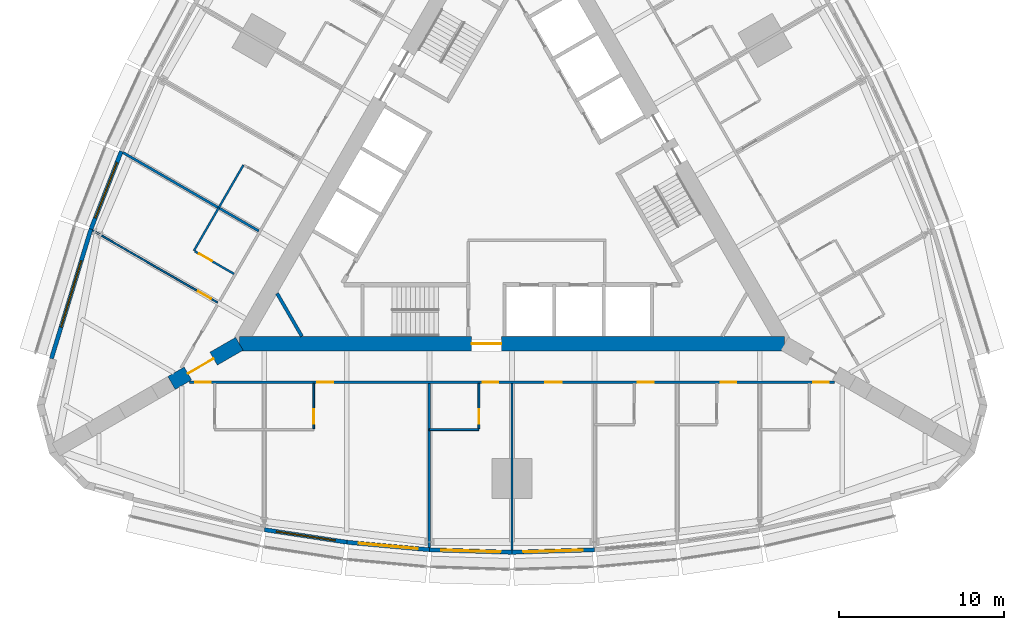
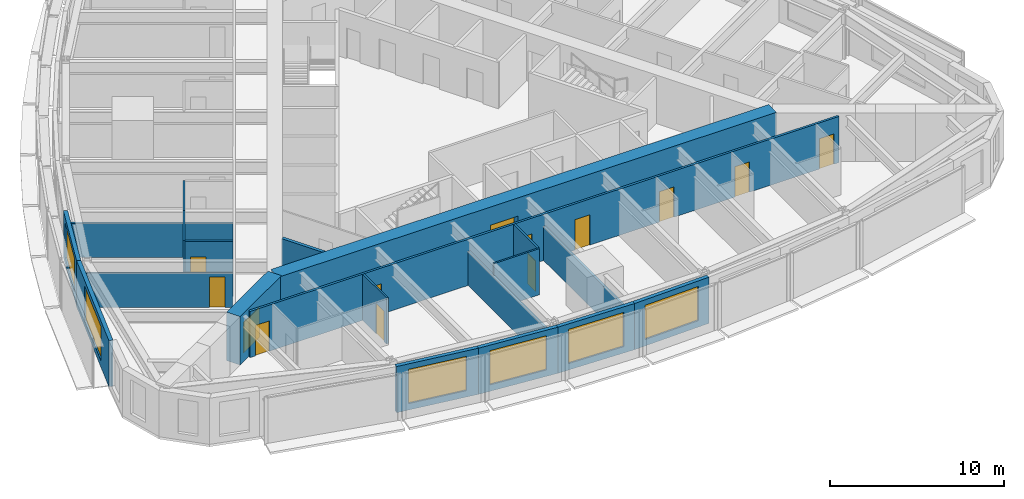
# One storey, part 8 of 14: 20 walls, 13 doors, 6 windows, 19 openings.
"""IFC4 building model written with IfcOpenShell, lengths in metres."""

from ifc_helpers import new_model, si_unit, direction, frame, frame_2d, origin, place, context, subcontext, project, spatial, rectangle, extrude, material, layer, layer_set, type_object, element, fill, save


model = new_model("IFC4")

# Units and contexts
model_context = context("Model", 3, precision=1e-05, world=origin(), true_north=direction((0.0, 1.0)))
body_context = subcontext(model_context, "Body", "Model", "MODEL_VIEW")
ifc_project = project(units=[si_unit("LENGTHUNIT", "METRE"), si_unit("AREAUNIT", "SQUARE_METRE"), si_unit("VOLUMEUNIT", "CUBIC_METRE"), si_unit("PLANEANGLEUNIT", "RADIAN"), si_unit("MASSUNIT", "GRAM", prefix="KILO")], contexts=[model_context])

# Site, building, storey
site_placement = place(None, origin())
site = spatial("IfcSite", under=ifc_project, at=site_placement, CompositionType="ELEMENT")
building_placement = place(site_placement, origin())
building = spatial("IfcBuilding", under=site, at=building_placement, Name="Trikona Tower", CompositionType="ELEMENT")
storey_placement = place(building_placement, frame((0.0, 0.0, 86.300048828125)))
storey = spatial("IfcBuildingStorey", under=building, at=storey_placement, Name="L22", CompositionType="ELEMENT", Elevation=86.300048828125)

# Wall, opening, door
ifc_material_1 = material(Name="Metal stud and cement board", Category="gypsum")
ifc_layer_1 = layer(ifc_material_1, 0.1201171875)
ifc_layer_set_1 = layer_set([ifc_layer_1], Name="Bathroom wall 120")
wall_type_1 = type_object("IfcWallType", Name="Bathroom wall 120", PredefinedType="PLUMBINGWALL", material=ifc_layer_set_1)
wall_1_placement = place(storey_placement, frame((-12.0, -11.92626953125, 0.0), z_axis=(0.0, 0.0, 1.0), x_axis=(0.0, -1.0, 0.0)))
wall_1 = element("IfcWall", 1, at=wall_1_placement, inside=storey, type_object=wall_type_1, Name="Bathroom wall 2202", PredefinedType="PLUMBINGWALL", context=body_context, shape_type="SweptSolid", body=[
    extrude(rectangle(XDim=2.739990234375, YDim=0.1201171875, at=frame_2d((1.3701171875, 0.0))), origin(), (0.0, 0.0, 1.0), 3.23486328125),
])
opening_1_placement = place(wall_1_placement, frame((1.550048828125, 0.0, 0.0)))
opening_1 = element("IfcOpeningElement", 2, at=opening_1_placement, cuts=wall_1, Name="Opening D2", PredefinedType="OPENING", context=body_context, shape_type="SweptSolid", body=[
    extrude(rectangle(XDim=0.89990234375, YDim=2.1298828125, at=frame_2d((0.449951171875, 1.06494140625))), frame((0.0, 0.070068359375, 0.0), z_axis=(0.0, -1.0, 0.0), x_axis=(1.0, 0.0, 0.0)), (0.0, 0.0, 1.0), 0.14013671875),
])
ifc_material_2 = material(Name="Steel door frame with solid-core timber leaf", Category="steel")
door_type_1 = type_object("IfcDoorType", Name="Bathroom door 900x2130", OperationType="SLIDING_TO_LEFT", PredefinedType="DOOR", material=ifc_material_2)
door_1_placement = place(opening_1_placement, origin())
door_1 = element("IfcDoor", 3, at=door_1_placement, inside=storey, type_object=door_type_1, Name="Bathroom door 2202", OperationType="SLIDING_TO_LEFT", OverallHeight=2.1298828125, OverallWidth=0.89990234375, PredefinedType="DOOR", context=body_context, shape_type="SweptSolid", body=[
    extrude(rectangle(XDim=0.89990234375, YDim=2.1298828125, at=frame_2d((0.449951171875, 1.06494140625))), frame((0.0, 0.02490234375, 0.0), z_axis=(0.0, -1.0, 0.0), x_axis=(1.0, 0.0, 0.0)), (0.0, 0.0, 1.0), 0.050048828125),
])
fill(opening_1, door_1)

# Wall
wall_2_placement = place(storey_placement, frame((-5.0, -14.726318359375, 0.0), z_axis=(0.0, 0.0, 1.0), x_axis=(1.0, 0.0, 0.0)))
element("IfcWall", 4, at=wall_2_placement, inside=storey, type_object=wall_type_1, Name="Bathroom wall 2203", PredefinedType="PLUMBINGWALL", context=body_context, shape_type="SweptSolid", body=[
    extrude(rectangle(XDim=3.0, YDim=0.1201171875, at=frame_2d((1.5, 0.0))), origin(), (0.0, 0.0, 1.0), 3.23486328125),
])

# Wall, opening, door
wall_3_placement = place(storey_placement, frame((-2.0, -11.92626953125, 0.0), z_axis=(0.0, 0.0, 1.0), x_axis=(0.0, -1.0, 0.0)))
wall_3 = element("IfcWall", 5, at=wall_3_placement, inside=storey, type_object=wall_type_1, Name="Bathroom wall 2203", PredefinedType="PLUMBINGWALL", context=body_context, shape_type="SweptSolid", body=[
    extrude(rectangle(XDim=2.739990234375, YDim=0.1201171875, at=frame_2d((1.3701171875, 0.0))), origin(), (0.0, 0.0, 1.0), 3.23486328125),
])
opening_2_placement = place(wall_3_placement, frame((1.550048828125, 0.0, 0.0)))
opening_2 = element("IfcOpeningElement", 6, at=opening_2_placement, cuts=wall_3, Name="Opening D2", PredefinedType="OPENING", context=body_context, shape_type="SweptSolid", body=[
    extrude(rectangle(XDim=0.89990234375, YDim=2.1298828125, at=frame_2d((0.449951171875, 1.06494140625))), frame((0.0, 0.070068359375, 0.0), z_axis=(0.0, -1.0, 0.0), x_axis=(1.0, 0.0, 0.0)), (0.0, 0.0, 1.0), 0.14013671875),
])
door_2_placement = place(opening_2_placement, origin())
door_2 = element("IfcDoor", 7, at=door_2_placement, inside=storey, type_object=door_type_1, Name="Bathroom door 2203", OperationType="SLIDING_TO_LEFT", OverallHeight=2.1298828125, OverallWidth=0.89990234375, PredefinedType="DOOR", context=body_context, shape_type="SweptSolid", body=[
    extrude(rectangle(XDim=0.89990234375, YDim=2.1298828125, at=frame_2d((0.449951171875, 1.06494140625))), frame((0.0, 0.02490234375, 0.0), z_axis=(0.0, -1.0, 0.0), x_axis=(1.0, 0.0, 0.0)), (0.0, 0.0, 1.0), 0.050048828125),
])
fill(opening_2, door_2)

# Walls
for number, where, z_axis, x_axis, name in (
    (8, (-16.25341796875, 1.301025390625, 0.0), (0.0, 0.0, 1.0), (-0.499990139034, -0.866031096941, 0.0), "Bathroom wall 2215.1"),
    (9, (-17.75341796875, -1.297119140625, 0.0), (0.0, 0.0, 1.0), (-0.499990139034, -0.866031096941, 0.0), "Bathroom wall 2216.1"),
):
    element("IfcWall", number, at=place(storey_placement, frame(where, z_axis=z_axis, x_axis=x_axis)), inside=storey, type_object=wall_type_1, Name=name, PredefinedType="PLUMBINGWALL", context=body_context, shape_type="SweptSolid", body=[
        extrude(rectangle(XDim=3.0, YDim=0.1201171875, at=frame_2d((1.5, 0.0))), origin(), (0.0, 0.0, 1.0), 3.23486328125),
    ])

# Wall, opening, door
wall_4_placement = place(storey_placement, frame((-16.82861328125, -5.295166015625, 0.0), z_axis=(0.0, 0.0, 1.0), x_axis=(-0.866035715982, 0.499982138324, 0.0)))
wall_4 = element("IfcWall", 10, at=wall_4_placement, inside=storey, type_object=wall_type_1, Name="Bathroom wall 2216.1", PredefinedType="PLUMBINGWALL", context=body_context, shape_type="SweptSolid", body=[
    extrude(rectangle(XDim=2.73974609375, YDim=0.1201171875, at=frame_2d((1.369873046875, 0.0))), origin(), (0.0, 0.0, 1.0), 3.23486328125),
])
opening_3_placement = place(wall_4_placement, frame((1.550048828125, 0.0, 0.0)))
opening_3 = element("IfcOpeningElement", 11, at=opening_3_placement, cuts=wall_4, Name="Opening D2", PredefinedType="OPENING", context=body_context, shape_type="SweptSolid", body=[
    extrude(rectangle(XDim=0.89990234375, YDim=2.1298828125, at=frame_2d((0.449951171875, 1.06494140625))), frame((0.0, 0.070068359375, 0.0), z_axis=(0.0, -1.0, 0.0), x_axis=(1.0, 0.0, 0.0)), (0.0, 0.0, 1.0), 0.14013671875),
])
door_3_placement = place(opening_3_placement, origin())
door_3 = element("IfcDoor", 12, at=door_3_placement, inside=storey, type_object=door_type_1, Name="Bathroom door 2216.1", OperationType="SLIDING_TO_LEFT", OverallHeight=2.1298828125, OverallWidth=0.89990234375, PredefinedType="DOOR", context=body_context, shape_type="SweptSolid", body=[
    extrude(rectangle(XDim=0.89990234375, YDim=2.1298828125, at=frame_2d((0.449951171875, 1.06494140625))), frame((0.0, 0.02490234375, 0.0), z_axis=(0.0, -1.0, 0.0), x_axis=(1.0, 0.0, 0.0)), (0.0, 0.0, 1.0), 0.050048828125),
])
fill(opening_3, door_3)

ifc_material_3 = material(Name="Concrete f'c 10000 psi", Category="concrete")
ifc_layer_2 = layer(ifc_material_3, 0.89990234375)
ifc_layer_set_2 = layer_set([ifc_layer_2], Name="Buttress wall 900")
wall_type_2 = type_object("IfcWallType", Name="Buttress wall 900", PredefinedType="SHEAR", material=ifc_layer_set_2)
wall_5_placement = place(storey_placement, frame((-16.5, -9.5263671875, 0.0), z_axis=(0.0, 0.0, 1.0), x_axis=(-0.866031398331, -0.499989616998, 0.0)))
wall_5 = element("IfcWall", 13, at=wall_5_placement, inside=storey, type_object=wall_type_2, Name="Buttress wall 3", PredefinedType="SHEAR", context=body_context, shape_type="SweptSolid", body=[
    extrude(rectangle(XDim=4.74609375, YDim=0.89990234375, at=frame_2d((2.373046875, 0.0))), origin(), (0.0, 0.0, 1.0), 3.39990234375),
])
opening_4_placement = place(wall_5_placement, frame((1.800048828125, 0.0, 0.0)))
opening_4 = element("IfcOpeningElement", 14, at=opening_4_placement, cuts=wall_5, Name="Opening D10", PredefinedType="OPENING", context=body_context, shape_type="SweptSolid", body=[
    extrude(rectangle(XDim=1.800048828125, YDim=2.1298828125, at=frame_2d((0.89990234375, 1.06494140625))), frame((0.0, 0.4599609375, 0.0), z_axis=(0.0, -1.0, 0.0), x_axis=(1.0, 0.0, 0.0)), (0.0, 0.0, 1.0), 0.919921875),
])
ifc_material_4 = material(Name="Hollow metal door and frame", Category="steel")
door_type_2 = type_object("IfcDoorType", Name="Cross-corridor door pair 1800x2130", OperationType="DOUBLE_DOOR_DOUBLE_SWING", PredefinedType="DOOR", material=ifc_material_4)
door_4_placement = place(opening_4_placement, origin())
door_4 = element("IfcDoor", 15, at=door_4_placement, inside=storey, type_object=door_type_2, Name="Cross-corridor door 3", OperationType="DOUBLE_DOOR_DOUBLE_SWING", OverallHeight=2.1298828125, OverallWidth=1.800048828125, PredefinedType="DOOR", context=body_context, shape_type="SweptSolid", body=[
    extrude(rectangle(XDim=1.800048828125, YDim=2.1298828125, at=frame_2d((0.89990234375, 1.06494140625))), frame((0.0, 0.02490234375, 0.0), z_axis=(0.0, -1.0, 0.0), x_axis=(1.0, 0.0, 0.0)), (0.0, 0.0, 1.0), 0.050048828125),
])
fill(opening_4, door_4)

ifc_material_5 = material(Name="Concrete f'c 10000 psi", Category="concrete")
ifc_layer_3 = layer(ifc_material_5, 0.89990234375)
ifc_layer_set_3 = layer_set([ifc_layer_3], Name="Core wall 900")
wall_type_3 = type_object("IfcWallType", Name="Core wall 900", PredefinedType="SHEAR", material=ifc_layer_set_3)
wall_6_placement = place(storey_placement, frame((-16.5, -9.5263671875, 0.0), z_axis=(0.0, 0.0, 1.0), x_axis=(1.0, 0.0, 0.0)))
wall_6 = element("IfcWall", 16, at=wall_6_placement, inside=storey, type_object=wall_type_3, Name="Core wall A", PredefinedType="SHEAR", context=body_context, shape_type="SweptSolid", body=[
    extrude(rectangle(XDim=33.0, YDim=0.89990234375, at=frame_2d((16.5, 0.0))), origin(), (0.0, 0.0, 1.0), 3.39990234375),
])
opening_5_placement = place(wall_6_placement, frame((14.050048828125, 0.0, 0.0)))
opening_5 = element("IfcOpeningElement", 17, at=opening_5_placement, cuts=wall_6, Name="Opening D6", PredefinedType="OPENING", context=body_context, shape_type="SweptSolid", body=[
    extrude(rectangle(XDim=1.800048828125, YDim=2.1298828125, at=frame_2d((0.89990234375, 1.06494140625))), frame((0.0, 0.4599609375, 0.0), z_axis=(0.0, -1.0, 0.0), x_axis=(1.0, 0.0, 0.0)), (0.0, 0.0, 1.0), 0.919921875),
])
ifc_material_6 = material(Name="Hollow metal door and frame", Category="steel")
door_type_3 = type_object("IfcDoorType", Name="Lobby door pair 1800x2130", OperationType="DOUBLE_DOOR_SINGLE_SWING", PredefinedType="DOOR", material=ifc_material_6)
door_5_placement = place(opening_5_placement, origin())
door_5 = element("IfcDoor", 18, at=door_5_placement, inside=storey, type_object=door_type_3, Name="Fire service lift lobby door", OperationType="DOUBLE_DOOR_SINGLE_SWING", OverallHeight=2.1298828125, OverallWidth=1.800048828125, PredefinedType="DOOR", context=body_context, shape_type="SweptSolid", body=[
    extrude(rectangle(XDim=1.800048828125, YDim=2.1298828125, at=frame_2d((0.89990234375, 1.06494140625))), frame((0.0, 0.02490234375, 0.0), z_axis=(0.0, -1.0, 0.0), x_axis=(1.0, 0.0, 0.0)), (0.0, 0.0, 1.0), 0.050048828125),
])
fill(opening_5, door_5)

# Wall, openings, doors
ifc_material_7 = material(Name="Metal stud and gypsum board, 1-hour", Category="gypsum")
ifc_layer_4 = layer(ifc_material_7, 0.14990234375)
ifc_layer_set_4 = layer_set([ifc_layer_4], Name="Corridor wall 150")
wall_type_4 = type_object("IfcWallType", Name="Corridor wall 150", PredefinedType="PARTITIONING", material=ifc_layer_set_4)
wall_7_placement = place(storey_placement, frame((-19.527099609375, -11.851318359375, 0.0), z_axis=(0.0, 0.0, 1.0), x_axis=(1.0, 0.0, 0.0)))
wall_7 = element("IfcWall", 19, at=wall_7_placement, inside=storey, type_object=wall_type_4, Name="Corridor wall L22-1", PredefinedType="PARTITIONING", context=body_context, shape_type="SweptSolid", body=[
    extrude(rectangle(XDim=39.05419921875, YDim=0.14990234375, at=frame_2d((19.527099609375, 0.0))), origin(), (0.0, 0.0, 1.0), 3.23486328125),
])
opening_6_placement = place(wall_7_placement, frame((0.35205078125, 0.0, 0.0)))
opening_6 = element("IfcOpeningElement", 20, at=opening_6_placement, cuts=wall_7, Name="Opening D1", PredefinedType="OPENING", context=body_context, shape_type="SweptSolid", body=[
    extrude(rectangle(XDim=0.949951171875, YDim=2.1298828125, at=frame_2d((0.47509765625, 1.06494140625))), frame((0.0, 0.0849609375, 0.0), z_axis=(0.0, -1.0, 0.0), x_axis=(1.0, 0.0, 0.0)), (0.0, 0.0, 1.0), 0.169921875),
])
opening_7_placement = place(wall_7_placement, frame((7.751953125, 0.0, 0.0)))
opening_7 = element("IfcOpeningElement", 21, at=opening_7_placement, cuts=wall_7, Name="Opening D1", PredefinedType="OPENING", context=body_context, shape_type="SweptSolid", body=[
    extrude(rectangle(XDim=0.949951171875, YDim=2.1298828125, at=frame_2d((0.47509765625, 1.06494140625))), frame((0.0, 0.0849609375, 0.0), z_axis=(0.0, -1.0, 0.0), x_axis=(1.0, 0.0, 0.0)), (0.0, 0.0, 1.0), 0.169921875),
])
opening_8_placement = place(wall_7_placement, frame((17.751953125, 0.0, 0.0)))
opening_8 = element("IfcOpeningElement", 22, at=opening_8_placement, cuts=wall_7, Name="Opening D1", PredefinedType="OPENING", context=body_context, shape_type="SweptSolid", body=[
    extrude(rectangle(XDim=0.949951171875, YDim=2.1298828125, at=frame_2d((0.47509765625, 1.06494140625))), frame((0.0, 0.0849609375, 0.0), z_axis=(0.0, -1.0, 0.0), x_axis=(1.0, 0.0, 0.0)), (0.0, 0.0, 1.0), 0.169921875),
])
opening_9_placement = place(wall_7_placement, frame((21.527099609375, 0.0, 0.0)))
opening_9 = element("IfcOpeningElement", 23, at=opening_9_placement, cuts=wall_7, Name="Opening D3", PredefinedType="OPENING", context=body_context, shape_type="SweptSolid", body=[
    extrude(rectangle(XDim=1.0, YDim=2.1298828125, at=frame_2d((0.5, 1.06494140625))), frame((0.0, 0.0849609375, 0.0), z_axis=(0.0, -1.0, 0.0), x_axis=(1.0, 0.0, 0.0)), (0.0, 0.0, 1.0), 0.169921875),
])
opening_10_placement = place(wall_7_placement, frame((27.152099609375, 0.0, 0.0)))
opening_10 = element("IfcOpeningElement", 24, at=opening_10_placement, cuts=wall_7, Name="Opening D1", PredefinedType="OPENING", context=body_context, shape_type="SweptSolid", body=[
    extrude(rectangle(XDim=0.949951171875, YDim=2.1298828125, at=frame_2d((0.47509765625, 1.06494140625))), frame((0.0, 0.0849609375, 0.0), z_axis=(0.0, -1.0, 0.0), x_axis=(1.0, 0.0, 0.0)), (0.0, 0.0, 1.0), 0.169921875),
])
opening_11_placement = place(wall_7_placement, frame((32.152099609375, 0.0, 0.0)))
opening_11 = element("IfcOpeningElement", 25, at=opening_11_placement, cuts=wall_7, Name="Opening D1", PredefinedType="OPENING", context=body_context, shape_type="SweptSolid", body=[
    extrude(rectangle(XDim=0.949951171875, YDim=2.1298828125, at=frame_2d((0.47509765625, 1.06494140625))), frame((0.0, 0.0849609375, 0.0), z_axis=(0.0, -1.0, 0.0), x_axis=(1.0, 0.0, 0.0)), (0.0, 0.0, 1.0), 0.169921875),
])
opening_12_placement = place(wall_7_placement, frame((37.751953125, 0.0, 0.0)))
opening_12 = element("IfcOpeningElement", 26, at=opening_12_placement, cuts=wall_7, Name="Opening D1", PredefinedType="OPENING", context=body_context, shape_type="SweptSolid", body=[
    extrude(rectangle(XDim=0.949951171875, YDim=2.1298828125, at=frame_2d((0.47509765625, 1.06494140625))), frame((0.0, 0.0849609375, 0.0), z_axis=(0.0, -1.0, 0.0), x_axis=(1.0, 0.0, 0.0)), (0.0, 0.0, 1.0), 0.169921875),
])
ifc_material_8 = material(Name="Steel door frame with solid-core timber leaf", Category="steel")
door_type_4 = type_object("IfcDoorType", Name="Guest room door 950x2130", OperationType="SINGLE_SWING_LEFT", PredefinedType="DOOR", material=ifc_material_8)
door_6_placement = place(opening_6_placement, origin())
door_6 = element("IfcDoor", 27, at=door_6_placement, inside=storey, type_object=door_type_4, Name="Room door 2201", OperationType="SINGLE_SWING_LEFT", OverallHeight=2.1298828125, OverallWidth=0.949951171875, PredefinedType="DOOR", context=body_context, shape_type="SweptSolid", body=[
    extrude(rectangle(XDim=0.949951171875, YDim=2.1298828125, at=frame_2d((0.47509765625, 1.06494140625))), frame((0.0, 0.02490234375, 0.0), z_axis=(0.0, -1.0, 0.0), x_axis=(1.0, 0.0, 0.0)), (0.0, 0.0, 1.0), 0.050048828125),
])
fill(opening_6, door_6)
door_7_placement = place(opening_7_placement, origin())
door_7 = element("IfcDoor", 28, at=door_7_placement, inside=storey, type_object=door_type_4, Name="Room door 2202", OperationType="SINGLE_SWING_RIGHT", OverallHeight=2.1298828125, OverallWidth=0.949951171875, PredefinedType="DOOR", context=body_context, shape_type="SweptSolid", body=[
    extrude(rectangle(XDim=0.949951171875, YDim=2.1298828125, at=frame_2d((0.47509765625, 1.06494140625))), frame((0.0, 0.02490234375, 0.0), z_axis=(0.0, -1.0, 0.0), x_axis=(1.0, 0.0, 0.0)), (0.0, 0.0, 1.0), 0.050048828125),
])
fill(opening_7, door_7)
door_8_placement = place(opening_8_placement, origin())
door_8 = element("IfcDoor", 29, at=door_8_placement, inside=storey, type_object=door_type_4, Name="Room door 2203", OperationType="SINGLE_SWING_LEFT", OverallHeight=2.1298828125, OverallWidth=0.949951171875, PredefinedType="DOOR", context=body_context, shape_type="SweptSolid", body=[
    extrude(rectangle(XDim=0.949951171875, YDim=2.1298828125, at=frame_2d((0.47509765625, 1.06494140625))), frame((0.0, 0.02490234375, 0.0), z_axis=(0.0, -1.0, 0.0), x_axis=(1.0, 0.0, 0.0)), (0.0, 0.0, 1.0), 0.050048828125),
])
fill(opening_8, door_8)
door_9_placement = place(opening_10_placement, origin())
door_9 = element("IfcDoor", 30, at=door_9_placement, inside=storey, type_object=door_type_4, Name="Room door 2204", OperationType="SINGLE_SWING_LEFT", OverallHeight=2.1298828125, OverallWidth=0.949951171875, PredefinedType="DOOR", context=body_context, shape_type="SweptSolid", body=[
    extrude(rectangle(XDim=0.949951171875, YDim=2.1298828125, at=frame_2d((0.47509765625, 1.06494140625))), frame((0.0, 0.02490234375, 0.0), z_axis=(0.0, -1.0, 0.0), x_axis=(1.0, 0.0, 0.0)), (0.0, 0.0, 1.0), 0.050048828125),
])
fill(opening_10, door_9)
door_10_placement = place(opening_11_placement, origin())
door_10 = element("IfcDoor", 31, at=door_10_placement, inside=storey, type_object=door_type_4, Name="Room door 2205", OperationType="SINGLE_SWING_RIGHT", OverallHeight=2.1298828125, OverallWidth=0.949951171875, PredefinedType="DOOR", context=body_context, shape_type="SweptSolid", body=[
    extrude(rectangle(XDim=0.949951171875, YDim=2.1298828125, at=frame_2d((0.47509765625, 1.06494140625))), frame((0.0, 0.02490234375, 0.0), z_axis=(0.0, -1.0, 0.0), x_axis=(1.0, 0.0, 0.0)), (0.0, 0.0, 1.0), 0.050048828125),
])
fill(opening_11, door_10)
door_11_placement = place(opening_12_placement, origin())
door_11 = element("IfcDoor", 32, at=door_11_placement, inside=storey, type_object=door_type_4, Name="Room door 2206", OperationType="SINGLE_SWING_RIGHT", OverallHeight=2.1298828125, OverallWidth=0.949951171875, PredefinedType="DOOR", context=body_context, shape_type="SweptSolid", body=[
    extrude(rectangle(XDim=0.949951171875, YDim=2.1298828125, at=frame_2d((0.47509765625, 1.06494140625))), frame((0.0, 0.02490234375, 0.0), z_axis=(0.0, -1.0, 0.0), x_axis=(1.0, 0.0, 0.0)), (0.0, 0.0, 1.0), 0.050048828125),
])
fill(opening_12, door_11)
ifc_material_9 = material(Name="Steel door frame with solid-core timber leaf", Category="steel")
door_type_5 = type_object("IfcDoorType", Name="Room door 1000x2130", OperationType="SINGLE_SWING_LEFT", PredefinedType="DOOR", material=ifc_material_9)
door_12_placement = place(opening_9_placement, origin())
door_12 = element("IfcDoor", 33, at=door_12_placement, inside=storey, type_object=door_type_5, Name="Door Housekeeping pantry", OperationType="SINGLE_SWING_RIGHT", OverallHeight=2.1298828125, OverallWidth=1.0, PredefinedType="DOOR", context=body_context, shape_type="SweptSolid", body=[
    extrude(rectangle(XDim=1.0, YDim=2.1298828125, at=frame_2d((0.5, 1.06494140625))), frame((0.0, 0.02490234375, 0.0), z_axis=(0.0, -1.0, 0.0), x_axis=(1.0, 0.0, 0.0)), (0.0, 0.0, 1.0), 0.050048828125),
])
fill(opening_9, door_12)

# Wall, opening, window
ifc_material_10 = material(Name="Insulated precast concrete spandrel panel", Category="concrete")
ifc_layer_5 = layer(ifc_material_10, 0.25)
ifc_layer_set_5 = layer_set([ifc_layer_5], Name="Inner skin wall 250")
wall_type_5 = type_object("IfcWallType", Name="Inner skin wall 250", PredefinedType="STANDARD", material=ifc_layer_set_5)
wall_8_placement = place(storey_placement, frame((-14.981201171875, -20.779296875, 0.0), z_axis=(0.0, 0.0, 1.0), x_axis=(0.988615403399, -0.150464561152, 0.0)))
wall_8 = element("IfcWall", 34, at=wall_8_placement, inside=storey, type_object=wall_type_5, Name="External wall L22-01", PredefinedType="STANDARD", context=body_context, shape_type="SweptSolid", body=[
    extrude(rectangle(XDim=5.0576171875, YDim=0.25, at=frame_2d((2.52880859375, 0.0))), origin(), (0.0, 0.0, 1.0), 3.23486328125),
])
opening_13_placement = place(wall_8_placement, frame((0.728759765625, 0.0, 0.449951171875)))
opening_13 = element("IfcOpeningElement", 35, at=opening_13_placement, cuts=wall_8, Name="Opening W3624", PredefinedType="OPENING", context=body_context, shape_type="SweptSolid", body=[
    extrude(rectangle(XDim=3.60009765625, YDim=2.39990234375, at=frame_2d((1.800048828125, 1.199951171875))), frame((0.0, 0.135009765625, 0.0), z_axis=(0.0, -1.0, 0.0), x_axis=(1.0, 0.0, 0.0)), (0.0, 0.0, 1.0), 0.27001953125),
])
ifc_material_11 = material(Name="Aluminium-framed double glazing", Category="aluminium")
window_type_1 = type_object("IfcWindowType", Name="Window 3600x2400", PartitioningType="SINGLE_PANEL", PredefinedType="WINDOW", material=ifc_material_11)
window_1_placement = place(opening_13_placement, origin())
window_1 = element("IfcWindow", 36, at=window_1_placement, inside=storey, type_object=window_type_1, Name="Window 2202", OverallHeight=2.39990234375, OverallWidth=3.60009765625, PartitioningType="SINGLE_PANEL", PredefinedType="WINDOW", context=body_context, shape_type="SweptSolid", body=[
    extrude(rectangle(XDim=3.60009765625, YDim=2.39990234375, at=frame_2d((1.800048828125, 1.199951171875))), frame((0.0, 0.030029296875, 0.0), z_axis=(0.0, -1.0, 0.0), x_axis=(1.0, 0.0, 0.0)), (0.0, 0.0, 1.0), 0.06005859375),
])
fill(opening_13, window_1)

wall_9_placement = place(storey_placement, frame((-9.988525390625, -21.539306640625, 0.0), z_axis=(0.0, 0.0, 1.0), x_axis=(0.995857256774, -0.090930325692, 0.0)))
wall_9 = element("IfcWall", 37, at=wall_9_placement, inside=storey, type_object=wall_type_5, Name="External wall L22-02", PredefinedType="STANDARD", context=body_context, shape_type="SweptSolid", body=[
    extrude(rectangle(XDim=5.020751953125, YDim=0.25, at=frame_2d((2.51025390625, 0.0))), origin(), (0.0, 0.0, 1.0), 3.23486328125),
])
opening_14_placement = place(wall_9_placement, frame((0.71044921875, 0.0, 0.449951171875)))
opening_14 = element("IfcOpeningElement", 38, at=opening_14_placement, cuts=wall_9, Name="Opening W3624", PredefinedType="OPENING", context=body_context, shape_type="SweptSolid", body=[
    extrude(rectangle(XDim=3.60009765625, YDim=2.39990234375, at=frame_2d((1.800048828125, 1.199951171875))), frame((0.0, 0.135009765625, 0.0), z_axis=(0.0, -1.0, 0.0), x_axis=(1.0, 0.0, 0.0)), (0.0, 0.0, 1.0), 0.27001953125),
])
window_2_placement = place(opening_14_placement, origin())
window_2 = element("IfcWindow", 39, at=window_2_placement, inside=storey, type_object=window_type_1, Name="Window 2202", OverallHeight=2.39990234375, OverallWidth=3.60009765625, PartitioningType="SINGLE_PANEL", PredefinedType="WINDOW", context=body_context, shape_type="SweptSolid", body=[
    extrude(rectangle(XDim=3.60009765625, YDim=2.39990234375, at=frame_2d((1.800048828125, 1.199951171875))), frame((0.0, 0.030029296875, 0.0), z_axis=(0.0, -1.0, 0.0), x_axis=(1.0, 0.0, 0.0)), (0.0, 0.0, 1.0), 0.06005859375),
])
fill(opening_14, window_2)

wall_10_placement = place(storey_placement, frame((-4.99609375, -21.99560546875, 0.0), z_axis=(0.0, 0.0, 1.0), x_axis=(0.999537635046, -0.030405856769, 0.0)))
wall_10 = element("IfcWall", 40, at=wall_10_placement, inside=storey, type_object=wall_type_5, Name="External wall L22-03", PredefinedType="STANDARD", context=body_context, shape_type="SweptSolid", body=[
    extrude(rectangle(XDim=5.002197265625, YDim=0.25, at=frame_2d((2.5009765625, 0.0))), origin(), (0.0, 0.0, 1.0), 3.23486328125),
])
opening_15_placement = place(wall_10_placement, frame((0.701171875, 0.0, 0.449951171875)))
opening_15 = element("IfcOpeningElement", 41, at=opening_15_placement, cuts=wall_10, Name="Opening W3624", PredefinedType="OPENING", context=body_context, shape_type="SweptSolid", body=[
    extrude(rectangle(XDim=3.60009765625, YDim=2.39990234375, at=frame_2d((1.800048828125, 1.199951171875))), frame((0.0, 0.135009765625, 0.0), z_axis=(0.0, -1.0, 0.0), x_axis=(1.0, 0.0, 0.0)), (0.0, 0.0, 1.0), 0.27001953125),
])
window_3_placement = place(opening_15_placement, origin())
window_3 = element("IfcWindow", 42, at=window_3_placement, inside=storey, type_object=window_type_1, Name="Window 2203", OverallHeight=2.39990234375, OverallWidth=3.60009765625, PartitioningType="SINGLE_PANEL", PredefinedType="WINDOW", context=body_context, shape_type="SweptSolid", body=[
    extrude(rectangle(XDim=3.60009765625, YDim=2.39990234375, at=frame_2d((1.800048828125, 1.199951171875))), frame((0.0, 0.030029296875, 0.0), z_axis=(0.0, -1.0, 0.0), x_axis=(1.0, 0.0, 0.0)), (0.0, 0.0, 1.0), 0.06005859375),
])
fill(opening_15, window_3)

wall_11_placement = place(storey_placement, frame((-0.00390625, -22.147705078125, 0.0), z_axis=(0.0, 0.0, 1.0), x_axis=(0.999537635046, 0.030405856769, 0.0)))
wall_11 = element("IfcWall", 43, at=wall_11_placement, inside=storey, type_object=wall_type_5, Name="External wall L22-04", PredefinedType="STANDARD", context=body_context, shape_type="SweptSolid", body=[
    extrude(rectangle(XDim=5.002197265625, YDim=0.25, at=frame_2d((2.5009765625, 0.0))), origin(), (0.0, 0.0, 1.0), 3.23486328125),
])
opening_16_placement = place(wall_11_placement, frame((0.701171875, 0.0, 0.449951171875)))
opening_16 = element("IfcOpeningElement", 44, at=opening_16_placement, cuts=wall_11, Name="Opening W3624", PredefinedType="OPENING", context=body_context, shape_type="SweptSolid", body=[
    extrude(rectangle(XDim=3.60009765625, YDim=2.39990234375, at=frame_2d((1.800048828125, 1.199951171875))), frame((0.0, 0.135009765625, 0.0), z_axis=(0.0, -1.0, 0.0), x_axis=(1.0, 0.0, 0.0)), (0.0, 0.0, 1.0), 0.27001953125),
])
window_4_placement = place(opening_16_placement, origin())
window_4 = element("IfcWindow", 45, at=window_4_placement, inside=storey, type_object=window_type_1, Name="Window L22-HKP", OverallHeight=2.39990234375, OverallWidth=3.60009765625, PartitioningType="SINGLE_PANEL", PredefinedType="WINDOW", context=body_context, shape_type="SweptSolid", body=[
    extrude(rectangle(XDim=3.60009765625, YDim=2.39990234375, at=frame_2d((1.800048828125, 1.199951171875))), frame((0.0, 0.030029296875, 0.0), z_axis=(0.0, -1.0, 0.0), x_axis=(1.0, 0.0, 0.0)), (0.0, 0.0, 1.0), 0.06005859375),
])
fill(opening_16, window_4)

wall_12_placement = place(storey_placement, frame((-23.64501953125, 2.126220703125, 0.0), z_axis=(0.0, 0.0, 1.0), x_axis=(-0.364013463868, -0.931393685894, 0.0)))
wall_12 = element("IfcWall", 46, at=wall_12_placement, inside=storey, type_object=wall_type_5, Name="External wall L22-30", PredefinedType="STANDARD", context=body_context, shape_type="SweptSolid", body=[
    extrude(rectangle(XDim=5.0576171875, YDim=0.25, at=frame_2d((2.52880859375, 0.0))), origin(), (0.0, 0.0, 1.0), 3.23486328125),
])
opening_17_placement = place(wall_12_placement, frame((0.728759765625, 0.0, 0.449951171875)))
opening_17 = element("IfcOpeningElement", 47, at=opening_17_placement, cuts=wall_12, Name="Opening W3624", PredefinedType="OPENING", context=body_context, shape_type="SweptSolid", body=[
    extrude(rectangle(XDim=3.60009765625, YDim=2.39990234375, at=frame_2d((1.800048828125, 1.199951171875))), frame((0.0, 0.135009765625, 0.0), z_axis=(0.0, -1.0, 0.0), x_axis=(1.0, 0.0, 0.0)), (0.0, 0.0, 1.0), 0.27001953125),
])
window_5_placement = place(opening_17_placement, origin())
window_5 = element("IfcWindow", 48, at=window_5_placement, inside=storey, type_object=window_type_1, Name="Window 2216.1", OverallHeight=2.39990234375, OverallWidth=3.60009765625, PartitioningType="SINGLE_PANEL", PredefinedType="WINDOW", context=body_context, shape_type="SweptSolid", body=[
    extrude(rectangle(XDim=3.60009765625, YDim=2.39990234375, at=frame_2d((1.800048828125, 1.199951171875))), frame((0.0, 0.030029296875, 0.0), z_axis=(0.0, -1.0, 0.0), x_axis=(1.0, 0.0, 0.0)), (0.0, 0.0, 1.0), 0.06005859375),
])
fill(opening_17, window_5)

wall_13_placement = place(storey_placement, frame((-25.48291015625, -2.575439453125, 0.0), z_axis=(0.0, 0.0, 1.0), x_axis=(-0.2919790669, -0.956424709265, 0.0)))
wall_13 = element("IfcWall", 49, at=wall_13_placement, inside=storey, type_object=wall_type_5, Name="External wall L22-31", PredefinedType="STANDARD", context=body_context, shape_type="SweptSolid", body=[
    extrude(rectangle(XDim=8.211181640625, YDim=0.25, at=frame_2d((4.10546875, 0.0))), origin(), (0.0, 0.0, 1.0), 3.23486328125),
])
opening_18_placement = place(wall_13_placement, frame((2.005615234375, 0.0, 0.449951171875)))
opening_18 = element("IfcOpeningElement", 50, at=opening_18_placement, cuts=wall_13, Name="Opening W4224", PredefinedType="OPENING", context=body_context, shape_type="SweptSolid", body=[
    extrude(rectangle(XDim=4.199951171875, YDim=2.39990234375, at=frame_2d((2.10009765625, 1.199951171875))), frame((0.0, 0.135009765625, 0.0), z_axis=(0.0, -1.0, 0.0), x_axis=(1.0, 0.0, 0.0)), (0.0, 0.0, 1.0), 0.27001953125),
])
ifc_material_12 = material(Name="Aluminium-framed double glazing", Category="aluminium")
window_type_2 = type_object("IfcWindowType", Name="Window 4200x2400", PartitioningType="SINGLE_PANEL", PredefinedType="WINDOW", material=ifc_material_12)
window_6_placement = place(opening_18_placement, origin())
window_6 = element("IfcWindow", 51, at=window_6_placement, inside=storey, type_object=window_type_2, Name="Window 2216", OverallHeight=2.39990234375, OverallWidth=4.199951171875, PartitioningType="SINGLE_PANEL", PredefinedType="WINDOW", context=body_context, shape_type="SweptSolid", body=[
    extrude(rectangle(XDim=4.199951171875, YDim=2.39990234375, at=frame_2d((2.10009765625, 1.199951171875))), frame((0.0, 0.030029296875, 0.0), z_axis=(0.0, -1.0, 0.0), x_axis=(1.0, 0.0, 0.0)), (0.0, 0.0, 1.0), 0.06005859375),
])
fill(opening_18, window_6)

# Walls
ifc_material_13 = material(Name="Metal stud and gypsum board, 1-hour acoustic", Category="gypsum")
ifc_layer_6 = layer(ifc_material_13, 0.14990234375)
ifc_layer_set_6 = layer_set([ifc_layer_6], Name="Party wall 150")
wall_type_6 = type_object("IfcWallType", Name="Party wall 150", PredefinedType="PARTITIONING", material=ifc_layer_set_6)
wall_14_placement = place(storey_placement, frame((-5.0, -11.92626953125, 0.0), z_axis=(0.0, 0.0, 1.0), x_axis=(0.0, -1.0, 0.0)))
element("IfcWall", 52, at=wall_14_placement, inside=storey, type_object=wall_type_6, Name="Partition L22 F1 u-5", PredefinedType="PARTITIONING", context=body_context, shape_type="SweptSolid", body=[
    extrude(rectangle(XDim=9.943115234375, YDim=0.14990234375, at=frame_2d((4.9716796875, 0.0))), origin(), (0.0, 0.0, 1.0), 2.38916015625),
])
wall_15_placement = place(storey_placement, frame((0.0, -11.92626953125, 0.0), z_axis=(0.0, 0.0, 1.0), x_axis=(0.0, -1.0, 0.0)))
element("IfcWall", 53, at=wall_15_placement, inside=storey, type_object=wall_type_6, Name="Partition L22 F1 u-1.03538e-30", PredefinedType="PARTITIONING", context=body_context, shape_type="SweptSolid", body=[
    extrude(rectangle(XDim=10.09619140625, YDim=0.14990234375, at=frame_2d((5.048095703125, 0.0))), origin(), (0.0, 0.0, 1.0), 2.38916015625),
])
wall_16_placement = place(storey_placement, frame((-15.32861328125, -2.697021484375, 0.0), z_axis=(0.0, 0.0, 1.0), x_axis=(-0.866018409083, 0.500012114982, 0.0)))
element("IfcWall", 54, at=wall_16_placement, inside=storey, type_object=wall_type_6, Name="Partition L22 F3 u10", PredefinedType="PARTITIONING", context=body_context, shape_type="SweptSolid", body=[
    extrude(rectangle(XDim=9.484619140625, YDim=0.14990234375, at=frame_2d((4.7421875, 0.0))), origin(), (0.0, 0.0, 1.0), 2.38916015625),
])
ifc_material_14 = material(Name="Concrete f'c 8000 psi", Category="concrete")
ifc_layer_7 = layer(ifc_material_14, 0.199951171875)
ifc_layer_set_7 = layer_set([ifc_layer_7], Name="Shaft wall 200")
wall_type_7 = type_object("IfcWallType", Name="Shaft wall 200", PredefinedType="SOLIDWALL", material=ifc_layer_set_7)
wall_17_placement = place(storey_placement, frame((-12.718505859375, -9.076416015625, 0.0), z_axis=(0.0, 0.0, 1.0), x_axis=(-0.499952404951, 0.866052881055, 0.0)))
element("IfcWall", 55, at=wall_17_placement, inside=storey, type_object=wall_type_7, Name="Riser wall L22-RS3", PredefinedType="SOLIDWALL", context=body_context, shape_type="SweptSolid", body=[
    extrude(rectangle(XDim=3.002197265625, YDim=0.199951171875, at=frame_2d((1.5009765625, 0.0))), origin(), (0.0, 0.0, 1.0), 3.23486328125),
])

# Wall, opening, door
ifc_material_15 = material(Name="Metal stud and gypsum board, acoustic", Category="gypsum")
ifc_layer_8 = layer(ifc_material_15, 0.10009765625)
ifc_layer_set_8 = layer_set([ifc_layer_8], Name="Suite partition 100")
wall_type_8 = type_object("IfcWallType", Name="Suite partition 100", PredefinedType="PARTITIONING", material=ifc_layer_set_8)
wall_18_placement = place(storey_placement, frame((-17.82861328125, -7.027099609375, 0.0), z_axis=(0.0, 0.0, 1.0), x_axis=(-0.866032659912, 0.499987431809, 0.0)))
wall_18 = element("IfcWall", 56, at=wall_18_placement, inside=storey, type_object=wall_type_8, Name="Suite partition L22 F3 u15", PredefinedType="PARTITIONING", context=body_context, shape_type="SweptSolid", body=[
    extrude(rectangle(XDim=8.719970703125, YDim=0.10009765625, at=frame_2d((4.35986328125, 0.0))), origin(), (0.0, 0.0, 1.0), 2.38916015625),
])
opening_19_placement = place(wall_18_placement, frame((0.449951171875, 0.0, 0.0)))
opening_19 = element("IfcOpeningElement", 57, at=opening_19_placement, cuts=wall_18, Name="Opening D13", PredefinedType="OPENING", context=body_context, shape_type="SweptSolid", body=[
    extrude(rectangle(XDim=0.89990234375, YDim=2.1298828125, at=frame_2d((0.449951171875, 1.06494140625))), frame((0.0, 0.06005859375, 0.0), z_axis=(0.0, -1.0, 0.0), x_axis=(1.0, 0.0, 0.0)), (0.0, 0.0, 1.0), 0.1201171875),
])
ifc_material_16 = material(Name="Steel door frame with solid-core timber leaf", Category="steel")
door_type_6 = type_object("IfcDoorType", Name="Suite door 900x2130", OperationType="SINGLE_SWING_LEFT", PredefinedType="DOOR", material=ifc_material_16)
door_13_placement = place(opening_19_placement, origin())
door_13 = element("IfcDoor", 58, at=door_13_placement, inside=storey, type_object=door_type_6, Name="Suite door 2216", OperationType="SINGLE_SWING_LEFT", OverallHeight=2.1298828125, OverallWidth=0.89990234375, PredefinedType="DOOR", context=body_context, shape_type="SweptSolid", body=[
    extrude(rectangle(XDim=0.89990234375, YDim=2.1298828125, at=frame_2d((0.449951171875, 1.06494140625))), frame((0.0, 0.02490234375, 0.0), z_axis=(0.0, -1.0, 0.0), x_axis=(1.0, 0.0, 0.0)), (0.0, 0.0, 1.0), 0.050048828125),
])
fill(opening_19, door_13)

save(model, "model.ifc")
